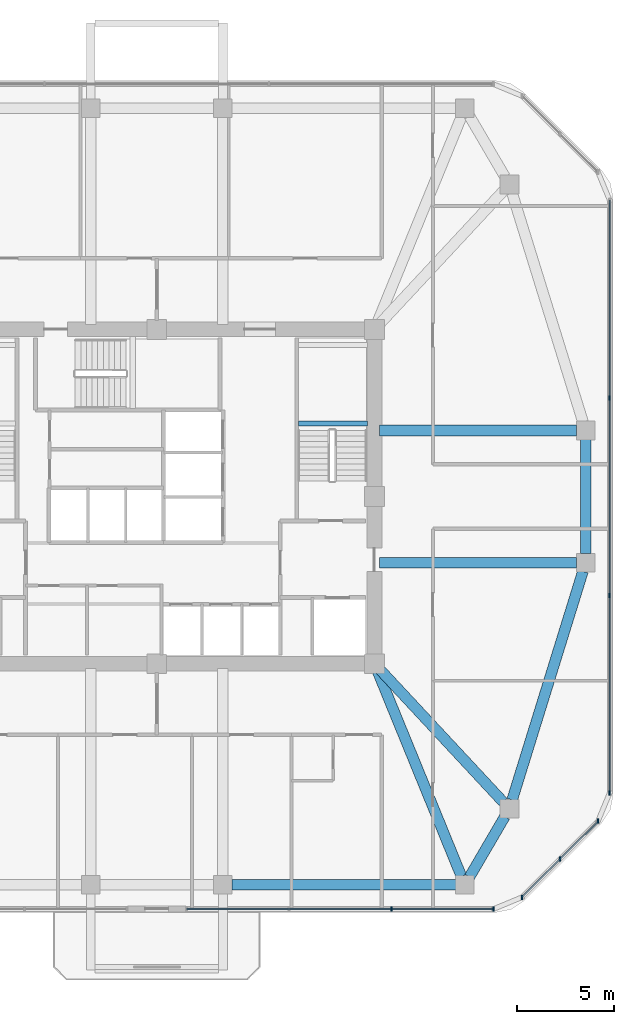
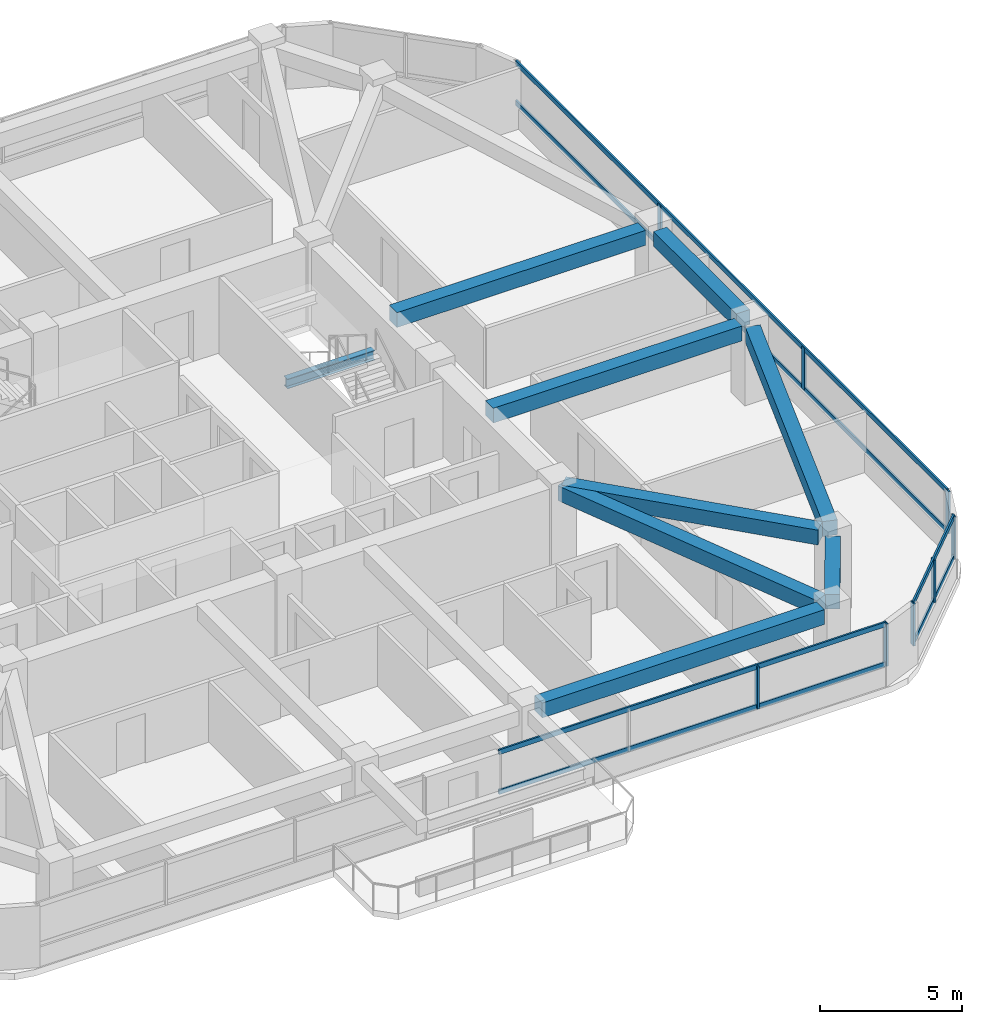
# One storey, part 3 of 12: 14 members, 9 beams, 3 elements without a shape of their own.
"""IFC4 building model written with IfcOpenShell, lengths in metres."""

from ifc_helpers import new_model, si_unit, derived_unit, direction, frame, origin, origin_2d, place, context, subcontext, project, spatial, rectangle, i_section, extrude, material, material_profile, profile_set, type_object, element, aggregate, save


model = new_model("IFC4")

# Units and contexts
model_context = context("Model", 3, precision=1e-05, world=origin(), true_north=direction((0.0, 1.0)))
body_context = subcontext(model_context, "Body", "Model", "MODEL_VIEW")
ifc_project = project(units=[si_unit("LENGTHUNIT", "METRE"), si_unit("AREAUNIT", "SQUARE_METRE"), si_unit("VOLUMEUNIT", "CUBIC_METRE"), si_unit("PLANEANGLEUNIT", "RADIAN"), si_unit("MASSUNIT", "GRAM", prefix="KILO"), derived_unit("THERMALTRANSMITTANCEUNIT", [(si_unit("POWERUNIT", "WATT"), 1), (si_unit("LENGTHUNIT", "METRE"), -2), (si_unit("THERMODYNAMICTEMPERATUREUNIT", "KELVIN"), -1)])], contexts=[model_context])

# Site, building, storey
site_placement = place(None, origin())
site = spatial("IfcSite", under=ifc_project, at=site_placement, CompositionType="ELEMENT")
building_placement = place(site_placement, origin())
building = spatial("IfcBuilding", under=site, at=building_placement, Name="Koralith Skygarden Medical Center", CompositionType="ELEMENT")
storey_placement = place(building_placement, frame((0.0, 0.0, 163.6201171875)))
storey = spatial("IfcBuildingStorey", under=building, at=storey_placement, Name="L42", CompositionType="ELEMENT", Elevation=163.6201171875)

# Curtain wall, members
ifc_material_1 = material(Name="Clear Laminated Glass", Category="glass")
curtain_wall_type = type_object("IfcCurtainWallType", Name="CW-4 Zone 3 Waist High-Wind Curtain Wall", PredefinedType="NOTDEFINED", material=ifc_material_1)
curtain_wall_1_placement = place(storey_placement, origin())
curtain_wall_1 = element("IfcCurtainWall", 1, at=curtain_wall_1_placement, inside=storey, type_object=curtain_wall_type, Name="Curtain Wall CW-L42-S-R", PredefinedType="NOTDEFINED")
ifc_material_2 = material(Name="Aluminium 6063-T6", Category="aluminium")
ifc_material_profile_1 = material_profile(ifc_material_2, rectangle(XDim=0.076904296875, YDim=0.22998046875, at=origin_2d()), Name="MUL77X230")
ifc_profile_set_1 = profile_set([ifc_material_profile_1], Name="Aluminium 6063-T6")
member_type_1 = type_object("IfcMemberType", Name="CW-4 Extruded Mullion 77x230", PredefinedType="MULLION", material=ifc_profile_set_1)
member_1_placement = place(storey_placement, frame((49.06591796875, 4.679931640625, 0.849853515625), z_axis=(0.0, 0.0, 1.0), x_axis=(1.0, 0.0, 0.0)))
member_1 = element("IfcMember", 2, at=member_1_placement, type_object=member_type_1, Name="CW-L42-S-R Mullion 3", PredefinedType="MULLION", context=body_context, shape_type="SweptSolid", body=[
    extrude(rectangle(XDim=0.076904296875, YDim=0.22998046875, at=origin_2d()), origin(), (0.0, 0.0, 1.0), 1.820068359375),
])
member_2_placement = place(storey_placement, frame((54.3291015625, 4.679931640625, 0.849853515625), z_axis=(0.0, 0.0, 1.0), x_axis=(1.0, 0.0, 0.0)))
member_2 = element("IfcMember", 3, at=member_2_placement, type_object=member_type_1, Name="CW-L42-S-R Mullion 4", PredefinedType="MULLION", context=body_context, shape_type="SweptSolid", body=[
    extrude(rectangle(XDim=0.076904296875, YDim=0.22998046875, at=origin_2d()), origin(), (0.0, 0.0, 1.0), 1.820068359375),
])

curtain_wall_2_placement = place(storey_placement, origin())
curtain_wall_2 = element("IfcCurtainWall", 4, at=curtain_wall_2_placement, inside=storey, type_object=curtain_wall_type, Name="Curtain Wall CW-L42-SE", PredefinedType="NOTDEFINED")
member_3_placement = place(storey_placement, frame((55.780029296875, 5.281005859375, 0.849853515625), z_axis=(0.0, 0.0, 1.0), x_axis=(1.0, 0.0, 0.0)))
member_3 = element("IfcMember", 5, at=member_3_placement, type_object=member_type_1, Name="CW-L42-SE Mullion 1", PredefinedType="MULLION", context=body_context, shape_type="SweptSolid", body=[
    extrude(rectangle(XDim=0.076904296875, YDim=0.22998046875, at=origin_2d()), origin(), (0.0, 0.0, 1.0), 1.820068359375),
])
member_4_placement = place(storey_placement, frame((57.741943359375, 7.241943359375, 0.849853515625), z_axis=(0.0, 0.0, 1.0), x_axis=(1.0, 0.0, 0.0)))
member_4 = element("IfcMember", 6, at=member_4_placement, type_object=member_type_1, Name="CW-L42-SE Mullion 2", PredefinedType="MULLION", context=body_context, shape_type="SweptSolid", body=[
    extrude(rectangle(XDim=0.076904296875, YDim=0.22998046875, at=origin_2d()), origin(), (0.0, 0.0, 1.0), 1.820068359375),
])
member_5_placement = place(storey_placement, frame((59.702880859375, 9.2041015625, 0.849853515625), z_axis=(0.0, 0.0, 1.0), x_axis=(1.0, 0.0, 0.0)))
member_5 = element("IfcMember", 7, at=member_5_placement, type_object=member_type_1, Name="CW-L42-SE Mullion 3", PredefinedType="MULLION", context=body_context, shape_type="SweptSolid", body=[
    extrude(rectangle(XDim=0.076904296875, YDim=0.22998046875, at=origin_2d()), origin(), (0.0, 0.0, 1.0), 1.820068359375),
])

curtain_wall_3_placement = place(storey_placement, origin())
curtain_wall_3 = element("IfcCurtainWall", 8, at=curtain_wall_3_placement, inside=storey, type_object=curtain_wall_type, Name="Curtain Wall CW-L42-E", PredefinedType="NOTDEFINED")
member_6_placement = place(storey_placement, frame((60.303955078125, 10.655029296875, 0.849853515625), z_axis=(0.0, 0.0, 1.0), x_axis=(1.0, 0.0, 0.0)))
member_6 = element("IfcMember", 9, at=member_6_placement, type_object=member_type_1, Name="CW-L42-E Mullion 1", PredefinedType="MULLION", context=body_context, shape_type="SweptSolid", body=[
    extrude(rectangle(XDim=0.076904296875, YDim=0.22998046875, at=origin_2d()), origin(), (0.0, 0.0, 1.0), 1.820068359375),
])
member_7_placement = place(storey_placement, frame((60.303955078125, 20.818115234375, 0.849853515625), z_axis=(0.0, 0.0, 1.0), x_axis=(1.0, 0.0, 0.0)))
member_7 = element("IfcMember", 10, at=member_7_placement, type_object=member_type_1, Name="CW-L42-E Mullion 2", PredefinedType="MULLION", context=body_context, shape_type="SweptSolid", body=[
    extrude(rectangle(XDim=0.076904296875, YDim=0.22998046875, at=origin_2d()), origin(), (0.0, 0.0, 1.0), 1.820068359375),
])
member_8_placement = place(storey_placement, frame((60.303955078125, 30.98193359375, 0.849853515625), z_axis=(0.0, 0.0, 1.0), x_axis=(1.0, 0.0, 0.0)))
member_8 = element("IfcMember", 11, at=member_8_placement, type_object=member_type_1, Name="CW-L42-E Mullion 3", PredefinedType="MULLION", context=body_context, shape_type="SweptSolid", body=[
    extrude(rectangle(XDim=0.076904296875, YDim=0.22998046875, at=origin_2d()), origin(), (0.0, 0.0, 1.0), 1.820068359375),
])

# Member
ifc_material_profile_2 = material_profile(ifc_material_2, rectangle(XDim=0.072021484375, YDim=0.20703125, at=origin_2d()), Name="TRN72X207")
ifc_profile_set_2 = profile_set([ifc_material_profile_2], Name="Aluminium 6063-T6")
member_type_2 = type_object("IfcMemberType", Name="CW-4 Thermal Transom 72x207", PredefinedType="USERDEFINED", material=ifc_profile_set_2)
member_9_placement = place(storey_placement, frame((38.5390625, 4.679931640625, 0.89990234375), z_axis=(1.0, 0.0, 0.0), x_axis=(0.0, 1.0, 0.0)))
member_9 = element("IfcMember", 12, at=member_9_placement, type_object=member_type_2, Name="CW-L42-S-R Transom 1", ObjectType="TRANSOM", PredefinedType="USERDEFINED", context=body_context, shape_type="SweptSolid", body=[
    extrude(rectangle(XDim=0.072021484375, YDim=0.20703125, at=origin_2d()), origin(), (0.0, 0.0, 1.0), 15.7900390625),
])

member_10_placement = place(storey_placement, frame((38.5390625, 4.679931640625, 2.619873046875), z_axis=(1.0, 0.0, 0.0), x_axis=(0.0, 1.0, 0.0)))
member_10 = element("IfcMember", 13, at=member_10_placement, type_object=member_type_2, Name="CW-L42-S-R Transom 2", ObjectType="TRANSOM", PredefinedType="USERDEFINED", context=body_context, shape_type="SweptSolid", body=[
    extrude(rectangle(XDim=0.072021484375, YDim=0.20703125, at=origin_2d()), origin(), (0.0, 0.0, 1.0), 15.7900390625),
])

aggregate(curtain_wall_1, [member_1, member_2, member_9, member_10])

member_11_placement = place(storey_placement, frame((55.780029296875, 5.281005859375, 0.89990234375), z_axis=(0.707084777957, 0.707128783731, 0.0), x_axis=(-0.707128783731, 0.707084777957, 0.0)))
member_11 = element("IfcMember", 14, at=member_11_placement, type_object=member_type_2, Name="CW-L42-SE Transom 1", ObjectType="TRANSOM", PredefinedType="USERDEFINED", context=body_context, shape_type="SweptSolid", body=[
    extrude(rectangle(XDim=0.072021484375, YDim=0.20703125, at=origin_2d()), origin(), (0.0, 0.0, 1.0), 5.5478515625),
])

member_12_placement = place(storey_placement, frame((55.780029296875, 5.281005859375, 2.619873046875), z_axis=(0.707084777957, 0.707128783731, 0.0), x_axis=(-0.707128783731, 0.707084777957, 0.0)))
member_12 = element("IfcMember", 15, at=member_12_placement, type_object=member_type_2, Name="CW-L42-SE Transom 2", ObjectType="TRANSOM", PredefinedType="USERDEFINED", context=body_context, shape_type="SweptSolid", body=[
    extrude(rectangle(XDim=0.072021484375, YDim=0.20703125, at=origin_2d()), origin(), (0.0, 0.0, 1.0), 5.5478515625),
])

aggregate(curtain_wall_2, [member_3, member_4, member_5, member_11, member_12])

member_13_placement = place(storey_placement, frame((60.303955078125, 10.655029296875, 0.89990234375), z_axis=(0.0, 1.0, 0.0), x_axis=(-1.0, 0.0, 0.0)))
member_13 = element("IfcMember", 16, at=member_13_placement, type_object=member_type_2, Name="CW-L42-E Transom 1", ObjectType="TRANSOM", PredefinedType="USERDEFINED", context=body_context, shape_type="SweptSolid", body=[
    extrude(rectangle(XDim=0.072021484375, YDim=0.20703125, at=origin_2d()), origin(), (0.0, 0.0, 1.0), 30.489990234375),
])

member_14_placement = place(storey_placement, frame((60.303955078125, 10.655029296875, 2.619873046875), z_axis=(0.0, 1.0, 0.0), x_axis=(-1.0, 0.0, 0.0)))
member_14 = element("IfcMember", 17, at=member_14_placement, type_object=member_type_2, Name="CW-L42-E Transom 2", ObjectType="TRANSOM", PredefinedType="USERDEFINED", context=body_context, shape_type="SweptSolid", body=[
    extrude(rectangle(XDim=0.072021484375, YDim=0.20703125, at=origin_2d()), origin(), (0.0, 0.0, 1.0), 30.489990234375),
])

aggregate(curtain_wall_3, [member_6, member_7, member_8, member_13, member_14])

# Beams
ifc_material_3 = material(Name="Steel ASTM A992 Grade 50", Category="steel")
ifc_material_profile_3 = material_profile(ifc_material_3, i_section(OverallWidth=0.260009765625, OverallDepth=0.4150390625, WebThickness=0.010009765625, FlangeThickness=0.016845703125, at=origin_2d()), Name="W16X67")
ifc_profile_set_3 = profile_set([ifc_material_profile_3], Name="Steel ASTM A992 Grade 50")
beam_type_1 = type_object("IfcBeamType", Name="Clinical Floor Joist W16X67", PredefinedType="JOIST", material=ifc_profile_set_3)
beam_1_placement = place(storey_placement, frame((44.280029296875, 29.659912109375, 1.391845703125), z_axis=(1.0, 0.0, 0.0), x_axis=(0.0, 1.0, 0.0)))
element("IfcBeam", 18, at=beam_1_placement, inside=storey, type_object=beam_type_1, Name="L42 Stair ST2 Half-Landing Support Beam 1A", PredefinedType="JOIST", context=body_context, shape_type="SweptSolid", body=[
    extrude(i_section(OverallWidth=0.260009765625, OverallDepth=0.4150390625, WebThickness=0.010009765625, FlangeThickness=0.016845703125, at=origin_2d()), origin(), (0.0, 0.0, 1.0), 3.56494140625),
])
ifc_material_4 = material(Name="Concrete C45/55", Category="concrete")
ifc_material_profile_4 = material_profile(ifc_material_4, rectangle(XDim=0.550048828125, YDim=0.639892578125, at=origin_2d()), Name="RCB550X640")
ifc_profile_set_4 = profile_set([ifc_material_profile_4], Name="Concrete C45/55")
beam_type_2 = type_object("IfcBeamType", Name="Radial Collector Beam RCB550X640", PredefinedType="BEAM", material=ifc_profile_set_4)
beam_2_placement = place(storey_placement, frame((48.294921875, 17.069091796875, 3.0), z_axis=(0.378344544364, -0.92566484526, 0.0), x_axis=(0.92566484526, 0.378344544364, 0.0)))
element("IfcBeam", 19, at=beam_2_placement, inside=storey, type_object=beam_type_2, Name="L42 Radial Collector Beam RB-06", PredefinedType="BEAM", context=body_context, shape_type="SweptSolid", body=[
    extrude(rectangle(XDim=0.550048828125, YDim=0.639892578125, at=origin_2d()), origin(), (0.0, 0.0, 1.0), 11.574462890625),
])
beam_3_placement = place(storey_placement, frame((48.3701171875, 17.116943359375, 3.0), z_axis=(0.681369011591, -0.731940072713, 0.0), x_axis=(0.731940072713, 0.681369011591, 0.0)))
element("IfcBeam", 20, at=beam_3_placement, inside=storey, type_object=beam_type_2, Name="L42 Radial Collector Beam RB-07", PredefinedType="BEAM", context=body_context, shape_type="SweptSolid", body=[
    extrude(rectangle(XDim=0.550048828125, YDim=0.639892578125, at=origin_2d()), origin(), (0.0, 0.0, 1.0), 9.471923828125),
])
for number, where, z_axis, x_axis, name in (
    (21, (48.449951171875, 22.5, 3.0), (1.0, 0.0, 0.0), (0.0, 1.0, 0.0), "L42 Radial Collector Beam RB-08"),
    (22, (48.449951171875, 29.300048828125, 3.0), (1.0, 0.0, 0.0), (0.0, 1.0, 0.0), "L42 Radial Collector Beam RB-09"),
):
    element("IfcBeam", number, at=place(storey_placement, frame(where, z_axis=z_axis, x_axis=x_axis)), inside=storey, type_object=beam_type_2, Name=name, PredefinedType="BEAM", context=body_context, shape_type="SweptSolid", body=[
        extrude(rectangle(XDim=0.550048828125, YDim=0.639892578125, at=origin_2d()), origin(), (0.0, 0.0, 1.0), 10.14404296875),
    ])
ifc_material_profile_5 = material_profile(ifc_material_4, rectangle(XDim=0.550048828125, YDim=0.639892578125, at=origin_2d()), Name="RCB550X640")
ifc_profile_set_5 = profile_set([ifc_material_profile_5], Name="Concrete C45/55")
beam_type_3 = type_object("IfcBeamType", Name="Zone 2-3 Spandrel Beam RCB550X640", PredefinedType="SPANDREL", material=ifc_profile_set_5)
beam_4_placement = place(storey_placement, frame((40.8701171875, 5.919921875, 3.0), z_axis=(1.0, 0.0, 0.0), x_axis=(0.0, 1.0, 0.0)))
element("IfcBeam", 23, at=beam_4_placement, inside=storey, type_object=beam_type_3, Name="L42 Perimeter Spandrel Beam SP-05", PredefinedType="SPANDREL", context=body_context, shape_type="SweptSolid", body=[
    extrude(rectangle(XDim=0.550048828125, YDim=0.639892578125, at=origin_2d()), origin(), (0.0, 0.0, 1.0), 11.511962890625),
])
beam_5_placement = place(storey_placement, frame((53.089111328125, 6.325927734375, 3.0), z_axis=(0.504861391295, 0.863200426077, 0.0), x_axis=(-0.863200426077, 0.504861391295, 0.0)))
element("IfcBeam", 24, at=beam_5_placement, inside=storey, type_object=beam_type_3, Name="L42 Perimeter Spandrel Beam SP-06", PredefinedType="SPANDREL", context=body_context, shape_type="SweptSolid", body=[
    extrude(rectangle(XDim=0.550048828125, YDim=0.639892578125, at=origin_2d()), origin(), (0.0, 0.0, 1.0), 3.600830078125),
])
beam_6_placement = place(storey_placement, frame((55.282958984375, 10.2890625, 3.0), z_axis=(0.295793585147, 0.955251880389, 0.0), x_axis=(-0.955251880389, 0.295793585147, 0.0)))
element("IfcBeam", 25, at=beam_6_placement, inside=storey, type_object=beam_type_3, Name="L42 Perimeter Spandrel Beam SP-07", PredefinedType="SPANDREL", context=body_context, shape_type="SweptSolid", body=[
    extrude(rectangle(XDim=0.550048828125, YDim=0.639892578125, at=origin_2d()), origin(), (0.0, 0.0, 1.0), 12.31298828125),
])
beam_7_placement = place(storey_placement, frame((59.06396484375, 22.969970703125, 3.0), z_axis=(0.0, 1.0, 0.0), x_axis=(-1.0, 0.0, 0.0)))
element("IfcBeam", 26, at=beam_7_placement, inside=storey, type_object=beam_type_3, Name="L42 Perimeter Spandrel Beam SP-08", PredefinedType="SPANDREL", context=body_context, shape_type="SweptSolid", body=[
    extrude(rectangle(XDim=0.550048828125, YDim=0.639892578125, at=origin_2d()), origin(), (0.0, 0.0, 1.0), 5.860107421875),
])

save(model, "model.ifc")
